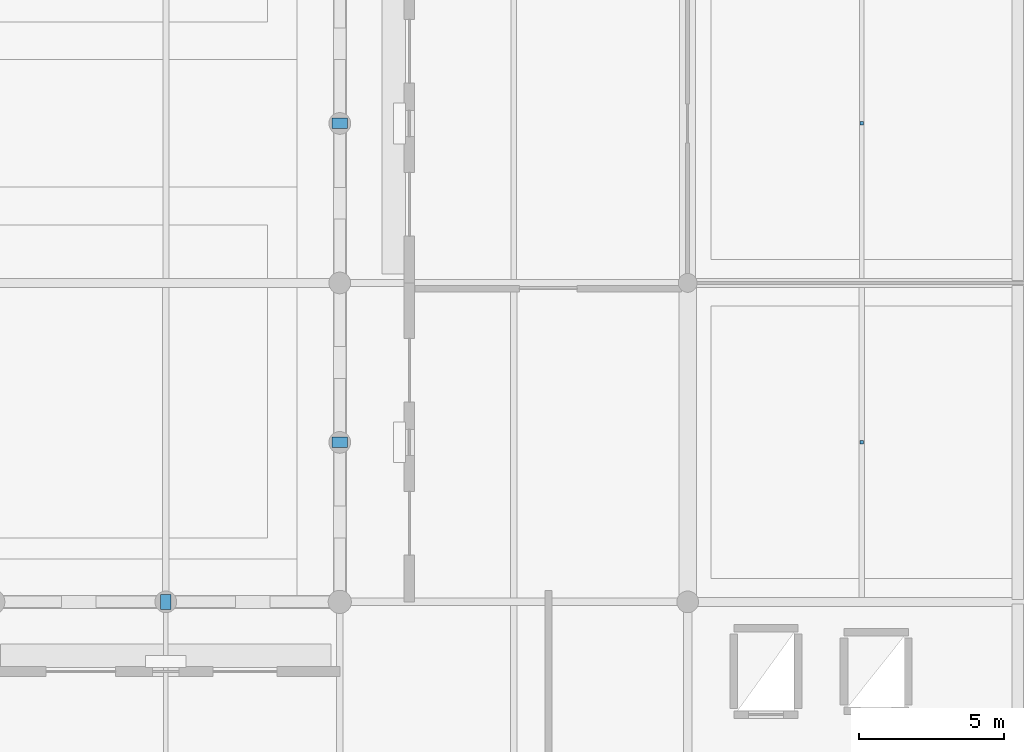
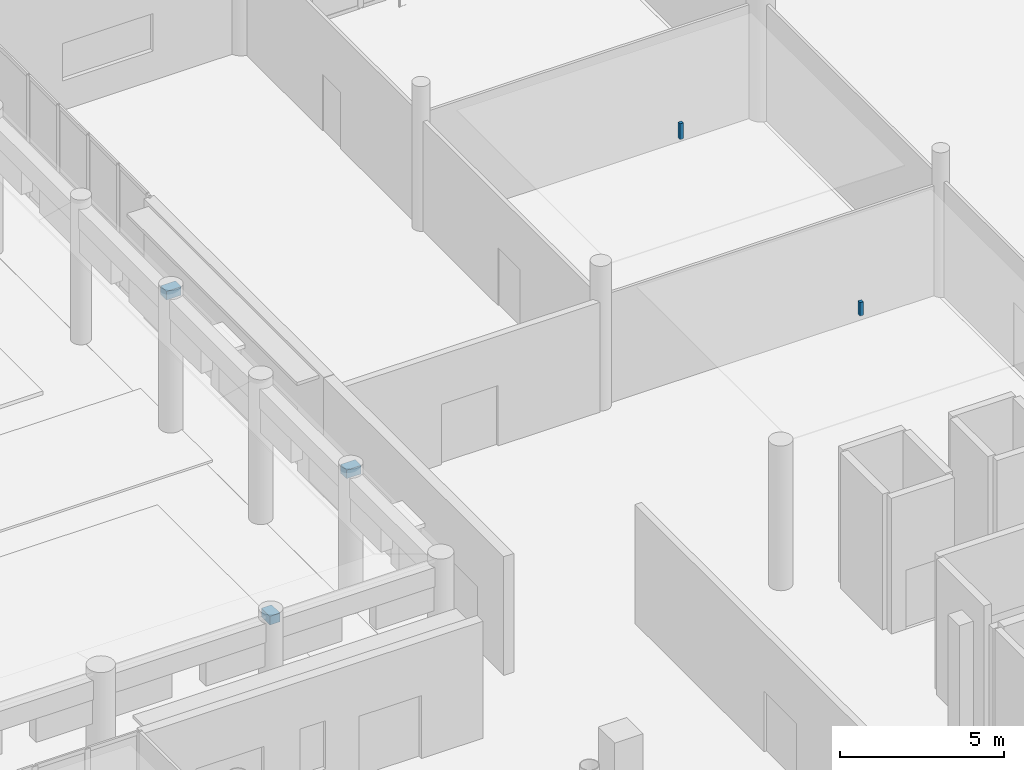
# One storey, part 88 of 120: 5 discrete accessories.
"""IFC4 building model written with IfcOpenShell, lengths in metres."""

from ifc_helpers import new_model, si_unit, direction, frame, origin, origin_2d, place, context, subcontext, project, spatial, rectangle, extrude, material, layer, layer_set, type_object, element, save


model = new_model("IFC4")

# Units and contexts
model_context = context("Model", 3, precision=1e-05, world=origin(), true_north=direction((0.0, 1.0)))
body_context = subcontext(model_context, "Body", "Model", "MODEL_VIEW")
ifc_project = project(units=[si_unit("LENGTHUNIT", "METRE"), si_unit("AREAUNIT", "SQUARE_METRE"), si_unit("VOLUMEUNIT", "CUBIC_METRE"), si_unit("PLANEANGLEUNIT", "RADIAN"), si_unit("MASSUNIT", "GRAM", prefix="KILO")], contexts=[model_context])

# Site, building, storey
site_placement = place(None, origin())
site = spatial("IfcSite", under=ifc_project, at=site_placement, CompositionType="ELEMENT")
building_placement = place(site_placement, origin())
building = spatial("IfcBuilding", under=site, at=building_placement, Name="Luwafu Chhajja Arena", CompositionType="ELEMENT")
storey_placement = place(building_placement, origin())
storey = spatial("IfcBuildingStorey", under=building, at=storey_placement, Name="L00", CompositionType="ELEMENT", Elevation=0.0)

# Discrete accessories
ifc_material = material(Name="Stainless steel bracket", Category="steel")
ifc_layer = layer(ifc_material, 0.179931640625, Name="Stainless steel bracket")
ifc_layer_set = layer_set([ifc_layer], Name="Stainless steel bracket")
discrete_accessory_type = type_object("IfcDiscreteAccessoryType", Name="Stainless Steel Facade Support Bracket", PredefinedType="BRACKET", material=ifc_layer_set)
for number, where, z_axis, x_axis, name in (
    (1, (134.0, 99.0, 4.97998046875), (0.0, 0.0, 1.0), (1.0, 0.0, 0.0), "L00 Chhajja Eave Support Bracket 0097"),
    (2, (140.0, 104.5, 4.97998046875), (0.0, 0.0, 1.0), (0.0, 1.0, 0.0), "L00 Chhajja Eave Support Bracket 0100"),
    (3, (140.0, 115.5, 4.97998046875), (0.0, 0.0, 1.0), (0.0, 1.0, 0.0), "L00 Chhajja Eave Support Bracket 0101"),
):
    element("IfcDiscreteAccessory", number, at=place(storey_placement, frame(where, z_axis=z_axis, x_axis=x_axis)), inside=storey, type_object=discrete_accessory_type, Name=name, PredefinedType="BRACKET", context=body_context, shape_type="SweptSolid", body=[
        extrude(rectangle(XDim=0.360107421875, YDim=0.52001953125, at=origin_2d()), origin(), (0.0, 0.0, 1.0), 0.320068359375),
    ])
discrete_accessory_1_placement = place(storey_placement, frame((158.0, 104.5, 4.6015625), z_axis=(0.0, 0.0, 1.0), x_axis=(1.0, 0.0, 0.0)))
element("IfcDiscreteAccessory", 4, at=discrete_accessory_1_placement, inside=storey, type_object=discrete_accessory_type, Name="L00 Ceiling Suspension Hanger 015", PredefinedType="BRACKET", context=body_context, shape_type="SweptSolid", body=[
    extrude(rectangle(XDim=0.1201171875, YDim=0.1201171875, at=origin_2d()), origin(), (0.0, 0.0, 1.0), 0.508544921875),
])
discrete_accessory_2_placement = place(storey_placement, frame((158.0, 115.5, 4.519287109375), z_axis=(0.0, 0.0, 1.0), x_axis=(1.0, 0.0, 0.0)))
element("IfcDiscreteAccessory", 5, at=discrete_accessory_2_placement, inside=storey, type_object=discrete_accessory_type, Name="L00 Ceiling Suspension Hanger 016", PredefinedType="BRACKET", context=body_context, shape_type="SweptSolid", body=[
    extrude(rectangle(XDim=0.1201171875, YDim=0.1201171875, at=origin_2d()), origin(), (0.0, 0.0, 1.0), 0.5908203125),
])

save(model, "model.ifc")
